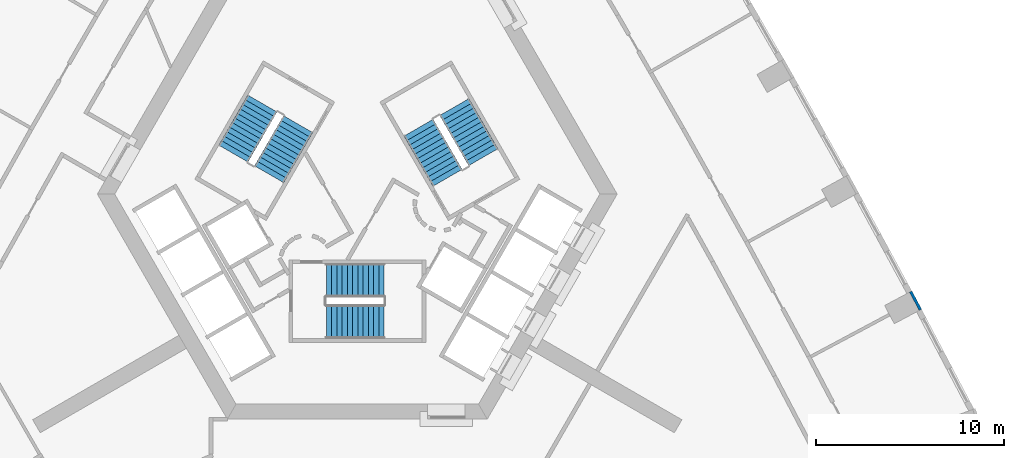
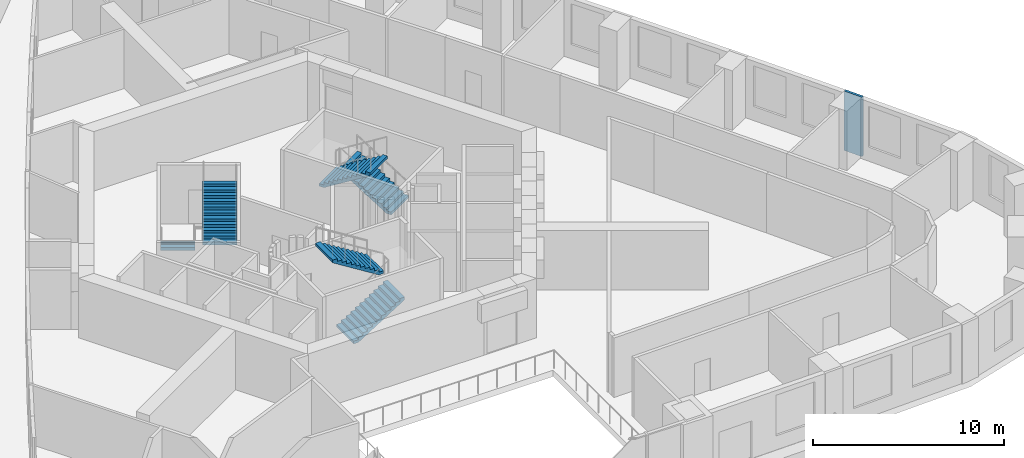
# One storey, part 11 of 12: 6 stair flights, 1 wall, 3 elements without a shape of their own.
"""IFC4 building model written with IfcOpenShell, lengths in metres."""

from ifc_helpers import new_model, si_unit, direction, frame, frame_2d, origin, place, context, subcontext, project, spatial, polyline, rectangle, outline, extrude, material, layer, layer_set, type_object, element, aggregate, save


model = new_model("IFC4")

# Units and contexts
model_context = context("Model", 3, precision=1e-05, world=origin(), true_north=direction((0.0, 1.0)))
body_context = subcontext(model_context, "Body", "Model", "MODEL_VIEW")
ifc_project = project(units=[si_unit("LENGTHUNIT", "METRE"), si_unit("AREAUNIT", "SQUARE_METRE"), si_unit("VOLUMEUNIT", "CUBIC_METRE"), si_unit("PLANEANGLEUNIT", "RADIAN"), si_unit("MASSUNIT", "GRAM", prefix="KILO")], contexts=[model_context])

# Site, building, storey
site_placement = place(None, origin())
site = spatial("IfcSite", under=ifc_project, at=site_placement, CompositionType="ELEMENT")
building_placement = place(site_placement, origin())
building = spatial("IfcBuilding", under=site, at=building_placement, Name="Entoto Arch Interchange Tower", CompositionType="ELEMENT")
storey_placement = place(building_placement, frame((0.0, 0.0, 155.0)))
storey = spatial("IfcBuildingStorey", under=building, at=storey_placement, Name="L34", CompositionType="ELEMENT", Elevation=155.0)

# Wall
ifc_material_1 = material(Name="Welded tuff (ignimbrite) cladding, warm buff", Category="masonry")
ifc_layer = layer(ifc_material_1, 0.14990234375)
ifc_layer_set = layer_set([ifc_layer], Name="Welded tuff (ignimbrite) cladding, warm buff")
wall_type = type_object("IfcWallType", Name="STONE PIER CLADDING 150", PredefinedType="STANDARD", material=ifc_layer_set)
wall_placement = place(storey_placement, frame((30.02001953125, -3.6689453125, 0.0), z_axis=(0.0, 0.0, 1.0), x_axis=(-0.470058271093, 0.88263538439, 0.0)))
element("IfcWall", 1, at=wall_placement, inside=storey, type_object=wall_type, Name="Stone pier NE02 L34", PredefinedType="STANDARD", context=body_context, shape_type="SweptSolid", body=[
    extrude(rectangle(XDim=1.10009765625, YDim=0.14990234375, at=frame_2d((0.550048828125, 0.0))), origin(), (0.0, 0.0, 1.0), 3.800048828125),
])

# Stair, stair flights
ifc_material_2 = material(Name="Concrete C40/50", Category="concrete")
stair_type = type_object("IfcStairType", Name="EXIT STAIR RC 1800", PredefinedType="HALF_TURN_STAIR", material=ifc_material_2)
stair_1_placement = place(storey_placement, origin())
stair_1 = element("IfcStair", 2, at=stair_1_placement, inside=storey, type_object=stair_type, Name="L34 Exit stair S", PredefinedType="HALF_TURN_STAIR")
stair_flight_type = type_object("IfcStairFlightType", Name="EXIT STAIR FLIGHT RC 1800", PredefinedType="STRAIGHT", material=ifc_material_2)
stair_flight_1_placement = place(storey_placement, frame((-1.64990234375, -4.300048828125, 0.0), z_axis=(0.0, 0.0, 1.0), x_axis=(1.0, 0.0, 0.0)))
stair_flight_1 = element("IfcStairFlight", 3, at=stair_flight_1_placement, type_object=stair_flight_type, Name="ST-S flight 1", NumberOfRisers=12, NumberOfTreads=11, PredefinedType="STRAIGHT", RiserHeight=0.175, TreadLength=0.28, context=body_context, shape_type="SweptSolid", body=[
    extrude(outline(polyline([(-0.0029296875, 0.0), (-0.0029296875, 0.175048828125), (0.280029296875, 0.175048828125), (0.280029296875, 0.35009765625), (0.56005859375, 0.35009765625), (0.56005859375, 0.52490234375), (0.840087890625, 0.52490234375), (0.840087890625, 0.699951171875), (1.1201171875, 0.699951171875), (1.1201171875, 0.875), (1.39990234375, 0.875), (1.39990234375, 1.050048828125), (1.679931640625, 1.050048828125), (1.679931640625, 1.22509765625), (1.9599609375, 1.22509765625), (1.9599609375, 1.39990234375), (2.239990234375, 1.39990234375), (2.239990234375, 1.574951171875), (2.52001953125, 1.574951171875), (2.52001953125, 1.75), (2.800048828125, 1.75), (2.800048828125, 1.925048828125), (3.080078125, 1.925048828125), (3.0830078125, 1.925048828125), (3.0830078125, 1.75), (0.28271484375, 0.0), (-0.0029296875, 0.0)])), frame((0.0, 0.89990234375, 0.0), z_axis=(0.0, -1.0, 0.0), x_axis=(1.0, 0.0, 0.0)), (0.0, 0.0, 1.0), 1.800048828125),
])
stair_flight_2_placement = place(storey_placement, frame((1.429931640625, -2.10009765625, 2.10009765625), z_axis=(0.0, 0.0, 1.0), x_axis=(-1.0, 0.0, 0.0)))
stair_flight_2 = element("IfcStairFlight", 4, at=stair_flight_2_placement, type_object=stair_flight_type, Name="ST-S flight 2", NumberOfRisers=12, NumberOfTreads=11, PredefinedType="STRAIGHT", RiserHeight=0.175, TreadLength=0.28, context=body_context, shape_type="SweptSolid", body=[
    extrude(outline(polyline([(-0.0029296875, 0.0), (-0.0029296875, 0.175048828125), (0.280029296875, 0.175048828125), (0.280029296875, 0.35009765625), (0.56005859375, 0.35009765625), (0.56005859375, 0.52490234375), (0.840087890625, 0.52490234375), (0.840087890625, 0.699951171875), (1.1201171875, 0.699951171875), (1.1201171875, 0.875), (1.39990234375, 0.875), (1.39990234375, 1.050048828125), (1.679931640625, 1.050048828125), (1.679931640625, 1.22509765625), (1.9599609375, 1.22509765625), (1.9599609375, 1.39990234375), (2.239990234375, 1.39990234375), (2.239990234375, 1.574951171875), (2.52001953125, 1.574951171875), (2.52001953125, 1.75), (2.800048828125, 1.75), (2.800048828125, 1.925048828125), (3.080078125, 1.925048828125), (3.0830078125, 1.925048828125), (3.0830078125, 1.75), (0.28271484375, 0.0), (-0.0029296875, 0.0)])), frame((0.0, 0.89990234375, 0.0), z_axis=(0.0, -1.0, 0.0), x_axis=(1.0, 0.0, 0.0)), (0.0, 0.0, 1.0), 1.800048828125),
])
aggregate(stair_1, [stair_flight_1, stair_flight_2])

stair_2_placement = place(storey_placement, origin())
stair_2 = element("IfcStair", 5, at=stair_2_placement, inside=storey, type_object=stair_type, Name="L34 Exit stair NE", PredefinedType="HALF_TURN_STAIR")
stair_flight_3_placement = place(storey_placement, frame((6.7138671875, 4.470947265625, 0.0), z_axis=(0.0, 0.0, 1.0), x_axis=(-0.5, 0.866025403784, 0.0)))
stair_flight_3 = element("IfcStairFlight", 6, at=stair_flight_3_placement, type_object=stair_flight_type, Name="ST-NE flight 1", NumberOfRisers=12, NumberOfTreads=11, PredefinedType="STRAIGHT", RiserHeight=0.175, TreadLength=0.28, context=body_context, shape_type="SweptSolid", body=[
    extrude(outline(polyline([(-0.0029296875, 0.0), (-0.0029296875, 0.175048828125), (0.280029296875, 0.175048828125), (0.280029296875, 0.35009765625), (0.56005859375, 0.35009765625), (0.56005859375, 0.52490234375), (0.840087890625, 0.52490234375), (0.840087890625, 0.699951171875), (1.1201171875, 0.699951171875), (1.1201171875, 0.875), (1.39990234375, 0.875), (1.39990234375, 1.050048828125), (1.679931640625, 1.050048828125), (1.679931640625, 1.22509765625), (1.9599609375, 1.22509765625), (1.9599609375, 1.39990234375), (2.239990234375, 1.39990234375), (2.239990234375, 1.574951171875), (2.52001953125, 1.574951171875), (2.52001953125, 1.75), (2.800048828125, 1.75), (2.800048828125, 1.925048828125), (3.080078125, 1.925048828125), (3.0830078125, 1.925048828125), (3.0830078125, 1.75), (0.28271484375, 0.0), (-0.0029296875, 0.0)])), frame((0.0, 0.89990234375, 0.0), z_axis=(0.0, -1.0, 0.0), x_axis=(1.0, 0.0, 0.0)), (0.0, 0.0, 1.0), 1.800048828125),
])
stair_flight_4_placement = place(storey_placement, frame((3.268798828125, 6.038330078125, 2.10009765625), z_axis=(0.0, 0.0, 1.0), x_axis=(0.5, -0.866025403784, 0.0)))
stair_flight_4 = element("IfcStairFlight", 7, at=stair_flight_4_placement, type_object=stair_flight_type, Name="ST-NE flight 2", NumberOfRisers=12, NumberOfTreads=11, PredefinedType="STRAIGHT", RiserHeight=0.175, TreadLength=0.28, context=body_context, shape_type="SweptSolid", body=[
    extrude(outline(polyline([(-0.0029296875, 0.0), (-0.0029296875, 0.175048828125), (0.280029296875, 0.175048828125), (0.280029296875, 0.35009765625), (0.56005859375, 0.35009765625), (0.56005859375, 0.52490234375), (0.840087890625, 0.52490234375), (0.840087890625, 0.699951171875), (1.1201171875, 0.699951171875), (1.1201171875, 0.875), (1.39990234375, 0.875), (1.39990234375, 1.050048828125), (1.679931640625, 1.050048828125), (1.679931640625, 1.22509765625), (1.9599609375, 1.22509765625), (1.9599609375, 1.39990234375), (2.239990234375, 1.39990234375), (2.239990234375, 1.574951171875), (2.52001953125, 1.574951171875), (2.52001953125, 1.75), (2.800048828125, 1.75), (2.800048828125, 1.925048828125), (3.080078125, 1.925048828125), (3.0830078125, 1.925048828125), (3.0830078125, 1.75), (0.28271484375, 0.0), (-0.0029296875, 0.0)])), frame((0.0, 0.89990234375, 0.0), z_axis=(0.0, -1.0, 0.0), x_axis=(1.0, 0.0, 0.0)), (0.0, 0.0, 1.0), 1.800048828125),
])
aggregate(stair_2, [stair_flight_3, stair_flight_4])

stair_3_placement = place(storey_placement, origin())
stair_3 = element("IfcStair", 8, at=stair_3_placement, inside=storey, type_object=stair_type, Name="L34 Exit stair NW", PredefinedType="HALF_TURN_STAIR")
stair_flight_5_placement = place(storey_placement, frame((-5.06396484375, 7.328857421875, 0.0), z_axis=(0.0, 0.0, 1.0), x_axis=(-0.5, -0.866025403784, 0.0)))
stair_flight_5 = element("IfcStairFlight", 9, at=stair_flight_5_placement, type_object=stair_flight_type, Name="ST-NW flight 1", NumberOfRisers=12, NumberOfTreads=11, PredefinedType="STRAIGHT", RiserHeight=0.175, TreadLength=0.28, context=body_context, shape_type="SweptSolid", body=[
    extrude(outline(polyline([(-0.0029296875, 0.0), (-0.0029296875, 0.175048828125), (0.280029296875, 0.175048828125), (0.280029296875, 0.35009765625), (0.56005859375, 0.35009765625), (0.56005859375, 0.52490234375), (0.840087890625, 0.52490234375), (0.840087890625, 0.699951171875), (1.1201171875, 0.699951171875), (1.1201171875, 0.875), (1.39990234375, 0.875), (1.39990234375, 1.050048828125), (1.679931640625, 1.050048828125), (1.679931640625, 1.22509765625), (1.9599609375, 1.22509765625), (1.9599609375, 1.39990234375), (2.239990234375, 1.39990234375), (2.239990234375, 1.574951171875), (2.52001953125, 1.574951171875), (2.52001953125, 1.75), (2.800048828125, 1.75), (2.800048828125, 1.925048828125), (3.080078125, 1.925048828125), (3.0830078125, 1.925048828125), (3.0830078125, 1.75), (0.28271484375, 0.0), (-0.0029296875, 0.0)])), frame((0.0, 0.89990234375, 0.0), z_axis=(0.0, -1.0, 0.0), x_axis=(1.0, 0.0, 0.0)), (0.0, 0.0, 1.0), 1.800048828125),
])
stair_flight_6_placement = place(storey_placement, frame((-4.69873046875, 3.5615234375, 2.10009765625), z_axis=(0.0, 0.0, 1.0), x_axis=(0.5, 0.866025403784, 0.0)))
stair_flight_6 = element("IfcStairFlight", 10, at=stair_flight_6_placement, type_object=stair_flight_type, Name="ST-NW flight 2", NumberOfRisers=12, NumberOfTreads=11, PredefinedType="STRAIGHT", RiserHeight=0.175, TreadLength=0.28, context=body_context, shape_type="SweptSolid", body=[
    extrude(outline(polyline([(-0.0029296875, 0.0), (-0.0029296875, 0.175048828125), (0.280029296875, 0.175048828125), (0.280029296875, 0.35009765625), (0.56005859375, 0.35009765625), (0.56005859375, 0.52490234375), (0.840087890625, 0.52490234375), (0.840087890625, 0.699951171875), (1.1201171875, 0.699951171875), (1.1201171875, 0.875), (1.39990234375, 0.875), (1.39990234375, 1.050048828125), (1.679931640625, 1.050048828125), (1.679931640625, 1.22509765625), (1.9599609375, 1.22509765625), (1.9599609375, 1.39990234375), (2.239990234375, 1.39990234375), (2.239990234375, 1.574951171875), (2.52001953125, 1.574951171875), (2.52001953125, 1.75), (2.800048828125, 1.75), (2.800048828125, 1.925048828125), (3.080078125, 1.925048828125), (3.0830078125, 1.925048828125), (3.0830078125, 1.75), (0.28271484375, 0.0), (-0.0029296875, 0.0)])), frame((0.0, 0.89990234375, 0.0), z_axis=(0.0, -1.0, 0.0), x_axis=(1.0, 0.0, 0.0)), (0.0, 0.0, 1.0), 1.800048828125),
])
aggregate(stair_3, [stair_flight_5, stair_flight_6])

save(model, "model.ifc")
